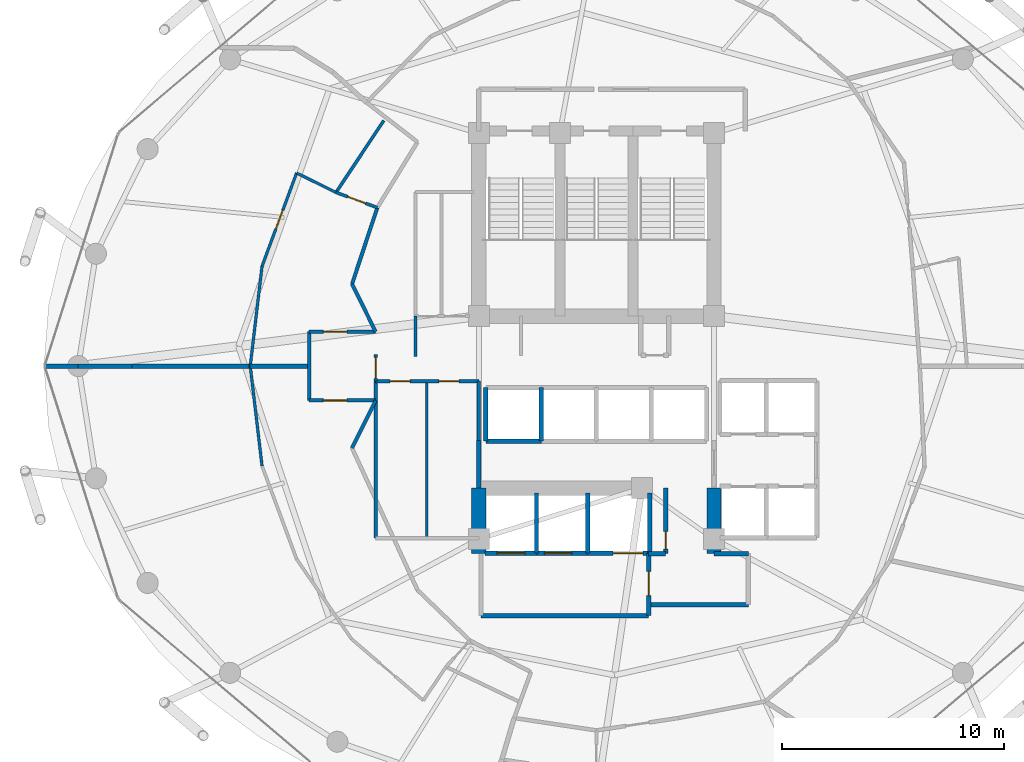
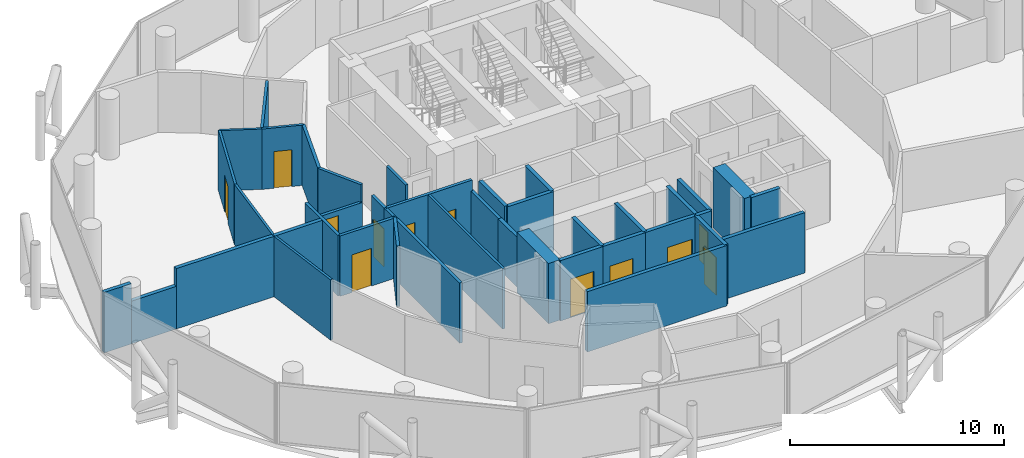
# One storey, part 22 of 26: 40 walls, 12 doors, 12 openings.
"""IFC4 building model written with IfcOpenShell, lengths in metres."""

from ifc_helpers import new_model, si_unit, direction, frame, frame_2d, origin, place, context, subcontext, project, spatial, rectangle, extrude, material, layer, layer_set, type_object, element, fill, save


model = new_model("IFC4")

# Units and contexts
model_context = context("Model", 3, precision=1e-05, world=origin(), true_north=direction((0.0, 1.0)))
body_context = subcontext(model_context, "Body", "Model", "MODEL_VIEW")
ifc_project = project(units=[si_unit("LENGTHUNIT", "METRE"), si_unit("AREAUNIT", "SQUARE_METRE"), si_unit("VOLUMEUNIT", "CUBIC_METRE"), si_unit("PLANEANGLEUNIT", "RADIAN"), si_unit("MASSUNIT", "GRAM", prefix="KILO")], contexts=[model_context])

# Site, building, storey
site_placement = place(None, origin())
site = spatial("IfcSite", under=ifc_project, at=site_placement, CompositionType="ELEMENT")
building_placement = place(site_placement, origin())
building = spatial("IfcBuilding", under=site, at=building_placement, Name="Nuhasar Tower", CompositionType="ELEMENT")
storey_placement = place(building_placement, frame((0.0, 0.0, 181.14990234375)))
storey = spatial("IfcBuildingStorey", under=building, at=storey_placement, Name="L44", CompositionType="ELEMENT", Elevation=181.14990234375)

# Walls
ifc_material_1 = material(Name="Concrete C65/80", Category="concrete")
ifc_layer_1 = layer(ifc_material_1, 0.64990234375)
ifc_layer_set_1 = layer_set([ifc_layer_1], Name="Concrete C65/80")
wall_type_1 = type_object("IfcWallType", Name="WL-CORE-650", PredefinedType="SHEAR", material=ifc_layer_set_1)
for number, where, z_axis, x_axis, name in (
    (1, (33.699951171875, 18.35009765625, 0.0), (0.0, 0.0, 1.0), (0.0, 1.0, 0.0), "L44 Core Shear Wall CW-SW CW-650"),
    (2, (44.300048828125, 18.35009765625, 0.0), (0.0, 0.0, 1.0), (0.0, 1.0, 0.0), "L44 Core Shear Wall CW-SE CW-650"),
):
    element("IfcWall", number, at=place(storey_placement, frame(where, z_axis=z_axis, x_axis=x_axis)), inside=storey, type_object=wall_type_1, Name=name, PredefinedType="SHEAR", context=body_context, shape_type="SweptSolid", body=[
        extrude(rectangle(XDim=2.949951171875, YDim=0.64990234375, at=frame_2d((1.47509765625, 0.0))), origin(), (0.0, 0.0, 1.0), 3.4501953125),
    ])
ifc_material_2 = material(Name="Gypsum Board", Category="gypsum")
ifc_layer_2 = layer(ifc_material_2, 0.159912109375)
ifc_layer_set_2 = layer_set([ifc_layer_2], Name="Gypsum Board")
wall_type_2 = type_object("IfcWallType", Name="WL-CORR-160", PredefinedType="PARTITIONING", material=ifc_layer_set_2)
wall_1_placement = place(storey_placement, frame((29.050048828125, 19.050048828125, 0.0), z_axis=(0.0, 0.0, 1.0), x_axis=(0.0, 1.0, 0.0)))
element("IfcWall", 3, at=wall_1_placement, inside=storey, type_object=wall_type_2, Name="L44 Interior Partition RECL-B1-W", PredefinedType="PARTITIONING", context=body_context, shape_type="SweptSolid", body=[
    extrude(rectangle(XDim=7.070068359375, YDim=0.159912109375, at=frame_2d((3.53515625, 0.0))), origin(), (0.0, 0.0, 1.0), 3.4501953125),
])
wall_2_placement = place(storey_placement, frame((33.699951171875, 23.449951171875, 0.0), z_axis=(0.0, 0.0, 1.0), x_axis=(0.0, 1.0, 0.0)))
element("IfcWall", 4, at=wall_2_placement, inside=storey, type_object=wall_type_2, Name="L44 Interior Partition RECL-B1-E", PredefinedType="PARTITIONING", context=body_context, shape_type="SweptSolid", body=[
    extrude(rectangle(XDim=2.670166015625, YDim=0.159912109375, at=frame_2d((1.3349609375, 0.0))), origin(), (0.0, 0.0, 1.0), 2.835205078125),
])

# Wall, openings, doors
wall_3_placement = place(storey_placement, frame((33.699951171875, 26.1201171875, 0.0), z_axis=(0.0, 0.0, 1.0), x_axis=(-1.0, 0.0, 0.0)))
wall_3 = element("IfcWall", 5, at=wall_3_placement, inside=storey, type_object=wall_type_2, Name="L44 Interior Partition RECL-B1-N", PredefinedType="PARTITIONING", context=body_context, shape_type="SweptSolid", body=[
    extrude(rectangle(XDim=4.64990234375, YDim=0.159912109375, at=frame_2d((2.324951171875, 0.0))), origin(), (0.0, 0.0, 1.0), 3.4501953125),
])
opening_1_placement = place(wall_3_placement, frame((3.10009765625, 0.0, 0.0)))
opening_1 = element("IfcOpeningElement", 6, at=opening_1_placement, cuts=wall_3, Name="Opening DR-01", PredefinedType="OPENING", context=body_context, shape_type="SweptSolid", body=[
    extrude(rectangle(XDim=0.89990234375, YDim=2.10009765625, at=frame_2d((0.449951171875, 1.050048828125))), frame((0.0, 0.08984375, 0.0), z_axis=(0.0, -1.0, 0.0), x_axis=(1.0, 0.0, 0.0)), (0.0, 0.0, 1.0), 0.179931640625),
])
opening_2_placement = place(wall_3_placement, frame((0.89990234375, 0.0, 0.0)))
opening_2 = element("IfcOpeningElement", 7, at=opening_2_placement, cuts=wall_3, Name="Opening DR-01", PredefinedType="OPENING", context=body_context, shape_type="SweptSolid", body=[
    extrude(rectangle(XDim=0.89990234375, YDim=2.10009765625, at=frame_2d((0.449951171875, 1.050048828125))), frame((0.0, 0.08984375, 0.0), z_axis=(0.0, -1.0, 0.0), x_axis=(1.0, 0.0, 0.0)), (0.0, 0.0, 1.0), 0.179931640625),
])
ifc_material_3 = material(Name="Timber Oak", Category="wood")
door_type_1 = type_object("IfcDoorType", Name="DR-ROOM-900", OperationType="NOTDEFINED", PredefinedType="DOOR", material=ifc_material_3)
door_1_placement = place(opening_1_placement, origin())
door_1 = element("IfcDoor", 8, at=door_1_placement, inside=storey, type_object=door_type_1, Name="L44 Housekeeping Door", OperationType="SINGLE_SWING_RIGHT", OverallHeight=2.10009765625, OverallWidth=0.89990234375, PredefinedType="DOOR", context=body_context, shape_type="SweptSolid", body=[
    extrude(rectangle(XDim=0.89990234375, YDim=2.10009765625, at=frame_2d((0.449951171875, 1.050048828125))), frame((0.0, 0.02490234375, 0.0), z_axis=(0.0, -1.0, 0.0), x_axis=(1.0, 0.0, 0.0)), (0.0, 0.0, 1.0), 0.050048828125),
])
fill(opening_1, door_1)
door_2_placement = place(opening_2_placement, origin())
door_2 = element("IfcDoor", 9, at=door_2_placement, inside=storey, type_object=door_type_1, Name="L44 Valet Pantry Door", OperationType="SINGLE_SWING_LEFT", OverallHeight=2.10009765625, OverallWidth=0.89990234375, PredefinedType="DOOR", context=body_context, shape_type="SweptSolid", body=[
    extrude(rectangle(XDim=0.89990234375, YDim=2.10009765625, at=frame_2d((0.449951171875, 1.050048828125))), frame((0.0, 0.02490234375, 0.0), z_axis=(0.0, -1.0, 0.0), x_axis=(1.0, 0.0, 0.0)), (0.0, 0.0, 1.0), 0.050048828125),
])
fill(opening_2, door_2)

# Wall, opening, door
wall_4_placement = place(storey_placement, frame((29.050048828125, 26.1201171875, 0.0), z_axis=(0.0, 0.0, 1.0), x_axis=(0.0, 1.0, 0.0)))
wall_4 = element("IfcWall", 10, at=wall_4_placement, inside=storey, type_object=wall_type_2, Name="L44 Interior Partition WVEST-E", PredefinedType="PARTITIONING", context=body_context, shape_type="SweptSolid", body=[
    extrude(rectangle(XDim=1.199951171875, YDim=0.159912109375, at=frame_2d((0.60009765625, 0.0))), origin(), (0.0, 0.0, 1.0), 3.4501953125),
])
opening_3_placement = place(wall_4_placement, frame((0.125, 0.0, 0.0)))
opening_3 = element("IfcOpeningElement", 11, at=opening_3_placement, cuts=wall_4, Name="Opening DO-01", PredefinedType="OPENING", context=body_context, shape_type="SweptSolid", body=[
    extrude(rectangle(XDim=0.949951171875, YDim=2.14990234375, at=frame_2d((0.47509765625, 1.074951171875))), frame((0.0, 0.08984375, 0.0), z_axis=(0.0, -1.0, 0.0), x_axis=(1.0, 0.0, 0.0)), (0.0, 0.0, 1.0), 0.179931640625),
])
door_type_2 = type_object("IfcDoorType", Name="DR-OFFICE-FD30-950", OperationType="NOTDEFINED", PredefinedType="DOOR", material=ifc_material_3)
door_3_placement = place(opening_3_placement, origin())
door_3 = element("IfcDoor", 12, at=door_3_placement, inside=storey, type_object=door_type_2, Name="L44 West Arrival Foyer Core Door", OperationType="SINGLE_SWING_LEFT", OverallHeight=2.14990234375, OverallWidth=0.949951171875, PredefinedType="DOOR", context=body_context, shape_type="SweptSolid", body=[
    extrude(rectangle(XDim=0.949951171875, YDim=2.14990234375, at=frame_2d((0.47509765625, 1.074951171875))), frame((0.0, 0.02490234375, 0.0), z_axis=(0.0, -1.0, 0.0), x_axis=(1.0, 0.0, 0.0)), (0.0, 0.0, 1.0), 0.050048828125),
])
fill(opening_3, door_3)

# Wall
wall_5_placement = place(storey_placement, frame((29.126953125, 33.93994140625, 0.0), z_axis=(0.0, 0.0, 1.0), x_axis=(-0.313985571683, -0.949427754374, 0.0)))
element("IfcWall", 13, at=wall_5_placement, inside=storey, type_object=wall_type_2, Name="L44 Interior Partition HWEST-CORE-N-20", PredefinedType="PARTITIONING", context=body_context, shape_type="SweptSolid", body=[
    extrude(rectangle(XDim=3.627197265625, YDim=0.159912109375, at=frame_2d((1.8134765625, 0.0))), origin(), (0.0, 0.0, 1.0), 3.4501953125),
])

# Wall, opening, door
wall_6_placement = place(storey_placement, frame((26.050048828125, 28.35009765625, 0.0), z_axis=(0.0, 0.0, 1.0), x_axis=(1.0, 0.0, 0.0)))
wall_6 = element("IfcWall", 14, at=wall_6_placement, inside=storey, type_object=wall_type_2, Name="L44 Interior Partition WVEST-N", PredefinedType="PARTITIONING", context=body_context, shape_type="SweptSolid", body=[
    extrude(rectangle(XDim=3.0, YDim=0.159912109375, at=frame_2d((1.5, 0.0))), origin(), (0.0, 0.0, 1.0), 2.440185546875),
])
opening_4_placement = place(wall_6_placement, frame((0.64990234375, 0.0, 0.0)))
opening_4 = element("IfcOpeningElement", 15, at=opening_4_placement, cuts=wall_6, Name="Opening DU-01", PredefinedType="OPENING", context=body_context, shape_type="SweptSolid", body=[
    extrude(rectangle(XDim=1.050048828125, YDim=2.14990234375, at=frame_2d((0.52490234375, 1.074951171875))), frame((0.0, 0.08984375, 0.0), z_axis=(0.0, -1.0, 0.0), x_axis=(1.0, 0.0, 0.0)), (0.0, 0.0, 1.0), 0.179931640625),
])
door_type_3 = type_object("IfcDoorType", Name="DR-SUITE-FD60-1050", OperationType="NOTDEFINED", PredefinedType="DOOR", material=ifc_material_3)
door_4_placement = place(opening_4_placement, origin())
door_4 = element("IfcDoor", 16, at=door_4_placement, inside=storey, type_object=door_type_3, Name="L44 North-West Sunset Suite Entrance", OperationType="SINGLE_SWING_LEFT", OverallHeight=2.14990234375, OverallWidth=1.050048828125, PredefinedType="DOOR", context=body_context, shape_type="SweptSolid", body=[
    extrude(rectangle(XDim=1.050048828125, YDim=2.14990234375, at=frame_2d((0.52490234375, 1.074951171875))), frame((0.0, 0.02490234375, 0.0), z_axis=(0.0, -1.0, 0.0), x_axis=(1.0, 0.0, 0.0)), (0.0, 0.0, 1.0), 0.050048828125),
])
fill(opening_4, door_4)

wall_7_placement = place(storey_placement, frame((26.050048828125, 25.25, 0.0), z_axis=(0.0, 0.0, 1.0), x_axis=(1.0, 0.0, 0.0)))
wall_7 = element("IfcWall", 17, at=wall_7_placement, inside=storey, type_object=wall_type_2, Name="L44 Interior Partition WVEST-S", PredefinedType="PARTITIONING", context=body_context, shape_type="SweptSolid", body=[
    extrude(rectangle(XDim=3.0, YDim=0.159912109375, at=frame_2d((1.5, 0.0))), origin(), (0.0, 0.0, 1.0), 3.4501953125),
])
opening_5_placement = place(wall_7_placement, frame((0.64990234375, 0.0, 0.0)))
opening_5 = element("IfcOpeningElement", 18, at=opening_5_placement, cuts=wall_7, Name="Opening DU-01", PredefinedType="OPENING", context=body_context, shape_type="SweptSolid", body=[
    extrude(rectangle(XDim=1.050048828125, YDim=2.14990234375, at=frame_2d((0.52490234375, 1.074951171875))), frame((0.0, 0.08984375, 0.0), z_axis=(0.0, -1.0, 0.0), x_axis=(1.0, 0.0, 0.0)), (0.0, 0.0, 1.0), 0.179931640625),
])
door_5_placement = place(opening_5_placement, origin())
door_5 = element("IfcDoor", 19, at=door_5_placement, inside=storey, type_object=door_type_3, Name="L44 South-West Presidential Suite Entrance", OperationType="SINGLE_SWING_LEFT", OverallHeight=2.14990234375, OverallWidth=1.050048828125, PredefinedType="DOOR", context=body_context, shape_type="SweptSolid", body=[
    extrude(rectangle(XDim=1.050048828125, YDim=2.14990234375, at=frame_2d((0.52490234375, 1.074951171875))), frame((0.0, 0.02490234375, 0.0), z_axis=(0.0, -1.0, 0.0), x_axis=(1.0, 0.0, 0.0)), (0.0, 0.0, 1.0), 0.050048828125),
])
fill(opening_5, door_5)

# Walls
wall_8_placement = place(storey_placement, frame((26.050048828125, 25.25, 0.0), z_axis=(0.0, 0.0, 1.0), x_axis=(0.0, 1.0, 0.0)))
element("IfcWall", 20, at=wall_8_placement, inside=storey, type_object=wall_type_2, Name="L44 Interior Partition WVEST-W", PredefinedType="PARTITIONING", context=body_context, shape_type="SweptSolid", body=[
    extrude(rectangle(XDim=3.10009765625, YDim=0.159912109375, at=frame_2d((1.550048828125, 0.0))), origin(), (0.0, 0.0, 1.0), 3.4501953125),
])
for number, where, z_axis, x_axis, name in (
    (21, (27.988037109375, 30.49609375, 0.0), (0.0, 0.0, 1.0), (0.443539160525, -0.896254993337, 0.0), "L44 Interior Partition WVEST-CN"),
    (22, (27.988037109375, 23.10400390625, 0.0), (0.0, 0.0, 1.0), (0.443539160525, 0.896254993337, 0.0), "L44 Interior Partition WVEST-CS"),
):
    element("IfcWall", number, at=place(storey_placement, frame(where, z_axis=z_axis, x_axis=x_axis)), inside=storey, type_object=wall_type_2, Name=name, PredefinedType="PARTITIONING", context=body_context, shape_type="SweptSolid", body=[
        extrude(rectangle(XDim=2.394287109375, YDim=0.159912109375, at=frame_2d((1.197265625, 0.0))), origin(), (0.0, 0.0, 1.0), 3.4501953125),
    ])
ifc_material_4 = material(Name="Concrete C45/55", Category="concrete")
ifc_layer_3 = layer(ifc_material_4, 0.199951171875)
ifc_layer_set_3 = layer_set([ifc_layer_3], Name="Concrete C45/55")
wall_type_3 = type_object("IfcWallType", Name="WL-LOBBY-200", PredefinedType="SOLIDWALL", material=ifc_layer_set_3)
wall_9_placement = place(storey_placement, frame((33.699951171875, 21.300048828125, 0.0), z_axis=(0.0, 0.0, 1.0), x_axis=(0.0, 1.0, 0.0)))
element("IfcWall", 23, at=wall_9_placement, inside=storey, type_object=wall_type_3, Name="L44 Interior Partition LLBH-W", PredefinedType="SOLIDWALL", context=body_context, shape_type="SweptSolid", body=[
    extrude(rectangle(XDim=2.14990234375, YDim=0.199951171875, at=frame_2d((1.074951171875, 0.0))), origin(), (0.0, 0.0, 1.0), 2.835205078125),
])
wall_10_placement = place(storey_placement, frame((33.800048828125, 15.550048828125, 0.0), z_axis=(0.0, 0.0, 1.0), x_axis=(1.0, 0.0, 0.0)))
element("IfcWall", 24, at=wall_10_placement, inside=storey, type_object=wall_type_3, Name="L44 Interior Partition FFL-S", PredefinedType="SOLIDWALL", context=body_context, shape_type="SweptSolid", body=[
    extrude(rectangle(XDim=7.550048828125, YDim=0.199951171875, at=frame_2d((3.77490234375, 0.0))), origin(), (0.0, 0.0, 1.0), 3.4501953125),
])

# Wall, opening, door
wall_11_placement = place(storey_placement, frame((41.35009765625, 15.550048828125, 0.0), z_axis=(0.0, 0.0, 1.0), x_axis=(0.0, 1.0, 0.0)))
wall_11 = element("IfcWall", 25, at=wall_11_placement, inside=storey, type_object=wall_type_3, Name="L44 Interior Partition FFL-E", PredefinedType="SOLIDWALL", context=body_context, shape_type="SweptSolid", body=[
    extrude(rectangle(XDim=2.800048828125, YDim=0.199951171875, at=frame_2d((1.39990234375, 0.0))), origin(), (0.0, 0.0, 1.0), 3.4501953125),
])
opening_6_placement = place(wall_11_placement, frame((0.89990234375, 0.0, 0.0)))
opening_6 = element("IfcOpeningElement", 26, at=opening_6_placement, cuts=wall_11, Name="Opening DS-02", PredefinedType="OPENING", context=body_context, shape_type="SweptSolid", body=[
    extrude(rectangle(XDim=1.10009765625, YDim=2.14990234375, at=frame_2d((0.550048828125, 1.074951171875))), frame((0.0, 0.10986328125, 0.0), z_axis=(0.0, -1.0, 0.0), x_axis=(1.0, 0.0, 0.0)), (0.0, 0.0, 1.0), 0.219970703125),
])
ifc_material_5 = material(Name="Steel S355", Category="steel")
door_type_4 = type_object("IfcDoorType", Name="DR-FFL-FD120-1100", OperationType="NOTDEFINED", PredefinedType="DOOR", material=ifc_material_5)
door_6_placement = place(opening_6_placement, origin())
door_6 = element("IfcDoor", 27, at=door_6_placement, inside=storey, type_object=door_type_4, Name="L44 Firefighting Lobby Door", OperationType="SINGLE_SWING_RIGHT", OverallHeight=2.14990234375, OverallWidth=1.10009765625, PredefinedType="DOOR", context=body_context, shape_type="SweptSolid", body=[
    extrude(rectangle(XDim=1.10009765625, YDim=2.14990234375, at=frame_2d((0.550048828125, 1.074951171875))), frame((0.0, 0.02490234375, 0.0), z_axis=(0.0, -1.0, 0.0), x_axis=(1.0, 0.0, 0.0)), (0.0, 0.0, 1.0), 0.050048828125),
])
fill(opening_6, door_6)

# Walls
wall_12_placement = place(storey_placement, frame((41.35009765625, 16.050048828125, 0.0), z_axis=(0.0, 0.0, 1.0), x_axis=(1.0, 0.0, 0.0)))
element("IfcWall", 28, at=wall_12_placement, inside=storey, type_object=wall_type_3, Name="L44 Interior Partition SVLV-S", PredefinedType="SOLIDWALL", context=body_context, shape_type="SweptSolid", body=[
    extrude(rectangle(XDim=4.5, YDim=0.199951171875, at=frame_2d((2.25, 0.0))), origin(), (0.0, 0.0, 1.0), 3.4501953125),
])
wall_13_placement = place(storey_placement, frame((44.300048828125, 18.35009765625, 0.0), z_axis=(0.0, 0.0, 1.0), x_axis=(1.0, 0.0, 0.0)))
element("IfcWall", 29, at=wall_13_placement, inside=storey, type_object=wall_type_3, Name="L44 Interior Partition SVLV-N", PredefinedType="SOLIDWALL", context=body_context, shape_type="SweptSolid", body=[
    extrude(rectangle(XDim=1.550048828125, YDim=0.199951171875, at=frame_2d((0.77490234375, 0.0))), origin(), (0.0, 0.0, 1.0), 3.4501953125),
])
ifc_layer_4 = layer(ifc_material_2, 0.125)
ifc_layer_set_4 = layer_set([ifc_layer_4], Name="Gypsum Board")
wall_type_4 = type_object("IfcWallType", Name="WL-PART-125", PredefinedType="PARTITIONING", material=ifc_layer_set_4)
wall_14_placement = place(storey_placement, frame((31.35009765625, 19.050048828125, 0.0), z_axis=(0.0, 0.0, 1.0), x_axis=(0.0, 1.0, 0.0)))
element("IfcWall", 30, at=wall_14_placement, inside=storey, type_object=wall_type_4, Name="L44 Interior Partition RECL-B1-V", PredefinedType="PARTITIONING", context=body_context, shape_type="SweptSolid", body=[
    extrude(rectangle(XDim=7.070068359375, YDim=0.125, at=frame_2d((3.53515625, 0.0))), origin(), (0.0, 0.0, 1.0), 3.4501953125),
])
wall_15_placement = place(storey_placement, frame((27.264892578125, 34.625, 0.0), z_axis=(0.0, 0.0, 1.0), x_axis=(-0.896929858707, 0.442172849189, 0.0)))
element("IfcWall", 31, at=wall_15_placement, inside=storey, type_object=wall_type_4, Name="L44 Interior Partition HWS1-S", PredefinedType="PARTITIONING", context=body_context, shape_type="SweptSolid", body=[
    extrude(rectangle(XDim=1.978759765625, YDim=0.125, at=frame_2d((0.9892578125, 0.0))), origin(), (0.0, 0.0, 1.0), 3.4501953125),
])

# Wall, opening, door
wall_16_placement = place(storey_placement, frame((25.489990234375, 35.5, 0.0), z_axis=(0.0, 0.0, 1.0), x_axis=(-0.348031805078, -0.93748272659, 0.0)))
wall_16 = element("IfcWall", 32, at=wall_16_placement, inside=storey, type_object=wall_type_4, Name="L44 Interior Partition HWS1-ARC-20", PredefinedType="PARTITIONING", context=body_context, shape_type="SweptSolid", body=[
    extrude(rectangle(XDim=4.476806640625, YDim=0.125, at=frame_2d((2.23828125, 0.0))), origin(), (0.0, 0.0, 1.0), 3.4501953125),
])
opening_7_placement = place(wall_16_placement, frame((1.7880859375, 0.0, 0.0)))
opening_7 = element("IfcOpeningElement", 33, at=opening_7_placement, cuts=wall_16, Name="Opening DR-01", PredefinedType="OPENING", context=body_context, shape_type="SweptSolid", body=[
    extrude(rectangle(XDim=0.89990234375, YDim=2.10009765625, at=frame_2d((0.449951171875, 1.050048828125))), frame((0.0, 0.072509765625, 0.0), z_axis=(0.0, -1.0, 0.0), x_axis=(1.0, 0.0, 0.0)), (0.0, 0.0, 1.0), 0.14501953125),
])
door_7_placement = place(opening_7_placement, origin())
door_7 = element("IfcDoor", 34, at=door_7_placement, inside=storey, type_object=door_type_1, Name="L44 North-West Sunset Suite Bedroom Door", OperationType="SINGLE_SWING_LEFT", OverallHeight=2.10009765625, OverallWidth=0.89990234375, PredefinedType="DOOR", context=body_context, shape_type="SweptSolid", body=[
    extrude(rectangle(XDim=0.89990234375, YDim=2.10009765625, at=frame_2d((0.449951171875, 1.050048828125))), frame((0.0, 0.02490234375, 0.0), z_axis=(0.0, -1.0, 0.0), x_axis=(1.0, 0.0, 0.0)), (0.0, 0.0, 1.0), 0.050048828125),
])
fill(opening_7, door_7)

# Walls
for number, where, z_axis, x_axis, name in (
    (35, (23.931884765625, 31.302978515625, 0.0), (0.0, 0.0, 1.0), (-0.1173254596, -0.993093518522, 0.0), "L44 Interior Partition HWS1-ARC-22"),
    (36, (23.39990234375, 26.800048828125, 0.0), (0.0, 0.0, 1.0), (0.1173254596, -0.993093518522, 0.0), "L44 Interior Partition HWS2-ARC-24"),
):
    element("IfcWall", number, at=place(storey_placement, frame(where, z_axis=z_axis, x_axis=x_axis)), inside=storey, type_object=wall_type_4, Name=name, PredefinedType="PARTITIONING", context=body_context, shape_type="SweptSolid", body=[
        extrude(rectangle(XDim=4.5341796875, YDim=0.125, at=frame_2d((2.26708984375, 0.0))), origin(), (0.0, 0.0, 1.0), 3.4501953125),
    ])
ifc_layer_5 = layer(ifc_material_4, 0.199951171875)
ifc_layer_set_5 = layer_set([ifc_layer_5], Name="Concrete C45/55")
wall_type_5 = type_object("IfcWallType", Name="WL-SHAFT-200", PredefinedType="SOLIDWALL", material=ifc_layer_set_5)
wall_17_placement = place(storey_placement, frame((34.02001953125, 23.419921875, 0.0), z_axis=(0.0, 0.0, 1.0), x_axis=(1.0, 0.0, 0.0)))
element("IfcWall", 37, at=wall_17_placement, inside=storey, type_object=wall_type_5, Name="L44 Interior Partition SHF-PL-H01-S", PredefinedType="SOLIDWALL", context=body_context, shape_type="SweptSolid", body=[
    extrude(rectangle(XDim=2.5, YDim=0.199951171875, at=frame_2d((1.25, 0.0))), origin(), (0.0, 0.0, 1.0), 3.4501953125),
])
for number, where, z_axis, x_axis, name in (
    (38, (34.02001953125, 23.419921875, 0.0), (0.0, 0.0, 1.0), (0.0, 1.0, 0.0), "L44 Interior Partition SHF-PL-H01-W"),
    (39, (36.510009765625, 23.419921875, 0.0), (0.0, 0.0, 1.0), (0.0, 1.0, 0.0), "L44 Interior Partition SHF-PL-H01-E"),
):
    element("IfcWall", number, at=place(storey_placement, frame(where, z_axis=z_axis, x_axis=x_axis)), inside=storey, type_object=wall_type_5, Name=name, PredefinedType="SOLIDWALL", context=body_context, shape_type="SweptSolid", body=[
        extrude(rectangle(XDim=2.41015625, YDim=0.199951171875, at=frame_2d((1.205078125, 0.0))), origin(), (0.0, 0.0, 1.0), 3.4501953125),
    ])

# Wall, opening, door
wall_18_placement = place(storey_placement, frame((33.969970703125, 18.3701171875, 0.0), z_axis=(0.0, 0.0, 1.0), x_axis=(1.0, 0.0, 0.0)))
wall_18 = element("IfcWall", 40, at=wall_18_placement, inside=storey, type_object=wall_type_5, Name="L44 Interior Partition SHF-FFL-01-S", PredefinedType="SOLIDWALL", context=body_context, shape_type="SweptSolid", body=[
    extrude(rectangle(XDim=2.360107421875, YDim=0.199951171875, at=frame_2d((1.18017578125, 0.0))), origin(), (0.0, 0.0, 1.0), 3.4501953125),
])
opening_8_placement = place(wall_18_placement, frame((0.554931640625, 0.0, 0.0)))
opening_8 = element("IfcOpeningElement", 41, at=opening_8_placement, cuts=wall_18, Name="Opening LD-F01", PredefinedType="OPENING", context=body_context, shape_type="SweptSolid", body=[
    extrude(rectangle(XDim=1.25, YDim=2.199951171875, at=frame_2d((0.625, 1.10009765625))), frame((0.0, 0.10986328125, 0.0), z_axis=(0.0, -1.0, 0.0), x_axis=(1.0, 0.0, 0.0)), (0.0, 0.0, 1.0), 0.219970703125),
])
ifc_material_6 = material(Name="Stainless Steel 316L", Category="steel")
door_type_5 = type_object("IfcDoorType", Name="LD-FFL-1250", OperationType="DOUBLE_DOOR_SLIDING", PredefinedType="DOOR", material=ifc_material_6)
door_8_placement = place(opening_8_placement, origin())
door_8 = element("IfcDoor", 42, at=door_8_placement, inside=storey, type_object=door_type_5, Name="L44 Lift Landing Door FFL-01", OperationType="DOUBLE_DOOR_SLIDING", OverallHeight=2.199951171875, OverallWidth=1.25, PredefinedType="DOOR", context=body_context, shape_type="SweptSolid", body=[
    extrude(rectangle(XDim=1.25, YDim=2.199951171875, at=frame_2d((0.625, 1.10009765625))), frame((0.0, 0.02490234375, 0.0), z_axis=(0.0, -1.0, 0.0), x_axis=(1.0, 0.0, 0.0)), (0.0, 0.0, 1.0), 0.050048828125),
])
fill(opening_8, door_8)

# Wall
wall_19_placement = place(storey_placement, frame((36.300048828125, 18.3701171875, 0.0), z_axis=(0.0, 0.0, 1.0), x_axis=(0.0, 1.0, 0.0)))
element("IfcWall", 43, at=wall_19_placement, inside=storey, type_object=wall_type_5, Name="L44 Interior Partition SHF-FFL-01-E", PredefinedType="SOLIDWALL", context=body_context, shape_type="SweptSolid", body=[
    extrude(rectangle(XDim=2.7099609375, YDim=0.199951171875, at=frame_2d((1.35498046875, 0.0))), origin(), (0.0, 0.0, 1.0), 3.4501953125),
])

# Wall, opening, door
wall_20_placement = place(storey_placement, frame((36.27001953125, 18.3701171875, 0.0), z_axis=(0.0, 0.0, 1.0), x_axis=(1.0, 0.0, 0.0)))
wall_20 = element("IfcWall", 44, at=wall_20_placement, inside=storey, type_object=wall_type_5, Name="L44 Interior Partition SHF-FFL-02-S", PredefinedType="SOLIDWALL", context=body_context, shape_type="SweptSolid", body=[
    extrude(rectangle(XDim=2.35986328125, YDim=0.199951171875, at=frame_2d((1.179931640625, 0.0))), origin(), (0.0, 0.0, 1.0), 3.4501953125),
])
opening_9_placement = place(wall_20_placement, frame((0.3798828125, 0.0, 0.0)))
opening_9 = element("IfcOpeningElement", 45, at=opening_9_placement, cuts=wall_20, Name="Opening LD-F02", PredefinedType="OPENING", context=body_context, shape_type="SweptSolid", body=[
    extrude(rectangle(XDim=1.25, YDim=2.199951171875, at=frame_2d((0.625, 1.10009765625))), frame((0.0, 0.10986328125, 0.0), z_axis=(0.0, -1.0, 0.0), x_axis=(1.0, 0.0, 0.0)), (0.0, 0.0, 1.0), 0.219970703125),
])
door_9_placement = place(opening_9_placement, origin())
door_9 = element("IfcDoor", 46, at=door_9_placement, inside=storey, type_object=door_type_5, Name="L44 Lift Landing Door FFL-02", OperationType="DOUBLE_DOOR_SLIDING", OverallHeight=2.199951171875, OverallWidth=1.25, PredefinedType="DOOR", context=body_context, shape_type="SweptSolid", body=[
    extrude(rectangle(XDim=1.25, YDim=2.199951171875, at=frame_2d((0.625, 1.10009765625))), frame((0.0, 0.02490234375, 0.0), z_axis=(0.0, -1.0, 0.0), x_axis=(1.0, 0.0, 0.0)), (0.0, 0.0, 1.0), 0.050048828125),
])
fill(opening_9, door_9)

# Wall
wall_21_placement = place(storey_placement, frame((38.60009765625, 18.3701171875, 0.0), z_axis=(0.0, 0.0, 1.0), x_axis=(0.0, 1.0, 0.0)))
element("IfcWall", 47, at=wall_21_placement, inside=storey, type_object=wall_type_5, Name="L44 Interior Partition SHF-FFL-02-E", PredefinedType="SOLIDWALL", context=body_context, shape_type="SweptSolid", body=[
    extrude(rectangle(XDim=2.7099609375, YDim=0.199951171875, at=frame_2d((1.35498046875, 0.0))), origin(), (0.0, 0.0, 1.0), 3.4501953125),
])

# Wall, opening, door
wall_22_placement = place(storey_placement, frame((38.570068359375, 18.3701171875, 0.0), z_axis=(0.0, 0.0, 1.0), x_axis=(1.0, 0.0, 0.0)))
wall_22 = element("IfcWall", 48, at=wall_22_placement, inside=storey, type_object=wall_type_5, Name="L44 Interior Partition SHF-SVL-01-S", PredefinedType="SOLIDWALL", context=body_context, shape_type="SweptSolid", body=[
    extrude(rectangle(XDim=2.829833984375, YDim=0.199951171875, at=frame_2d((1.4150390625, 0.0))), origin(), (0.0, 0.0, 1.0), 3.4501953125),
])
opening_10_placement = place(wall_22_placement, frame((1.179931640625, 0.0, 0.0)))
opening_10 = element("IfcOpeningElement", 49, at=opening_10_placement, cuts=wall_22, Name="Opening LD-S01", PredefinedType="OPENING", context=body_context, shape_type="SweptSolid", body=[
    extrude(rectangle(XDim=1.35009765625, YDim=2.179931640625, at=frame_2d((0.675048828125, 1.08984375))), frame((0.0, 0.10986328125, 0.0), z_axis=(0.0, -1.0, 0.0), x_axis=(1.0, 0.0, 0.0)), (0.0, 0.0, 1.0), 0.219970703125),
])
door_type_6 = type_object("IfcDoorType", Name="LD-SVL-1350", OperationType="DOUBLE_DOOR_SLIDING", PredefinedType="DOOR", material=ifc_material_6)
door_10_placement = place(opening_10_placement, origin())
door_10 = element("IfcDoor", 50, at=door_10_placement, inside=storey, type_object=door_type_6, Name="L44 Lift Landing Door SVL-01", OperationType="DOUBLE_DOOR_SLIDING", OverallHeight=2.179931640625, OverallWidth=1.35009765625, PredefinedType="DOOR", context=body_context, shape_type="SweptSolid", body=[
    extrude(rectangle(XDim=1.35009765625, YDim=2.179931640625, at=frame_2d((0.675048828125, 1.08984375))), frame((0.0, 0.02490234375, 0.0), z_axis=(0.0, -1.0, 0.0), x_axis=(1.0, 0.0, 0.0)), (0.0, 0.0, 1.0), 0.050048828125),
])
fill(opening_10, door_10)

# Wall
wall_23_placement = place(storey_placement, frame((41.39990234375, 18.3701171875, 0.0), z_axis=(0.0, 0.0, 1.0), x_axis=(0.0, 1.0, 0.0)))
element("IfcWall", 51, at=wall_23_placement, inside=storey, type_object=wall_type_5, Name="L44 Interior Partition SHF-SVL-01-E", PredefinedType="SOLIDWALL", context=body_context, shape_type="SweptSolid", body=[
    extrude(rectangle(XDim=2.7099609375, YDim=0.199951171875, at=frame_2d((1.35498046875, 0.0))), origin(), (0.0, 0.0, 1.0), 3.4501953125),
])

# Wall, opening, door
wall_24_placement = place(storey_placement, frame((42.1201171875, 18.35009765625, 0.0), z_axis=(0.0, 0.0, 1.0), x_axis=(0.0, 1.0, 0.0)))
wall_24 = element("IfcWall", 52, at=wall_24_placement, inside=storey, type_object=wall_type_5, Name="L44 Interior Partition RSR-E", PredefinedType="SOLIDWALL", context=body_context, shape_type="SweptSolid", body=[
    extrude(rectangle(XDim=2.949951171875, YDim=0.199951171875, at=frame_2d((1.47509765625, 0.0))), origin(), (0.0, 0.0, 1.0), 3.4501953125),
])
opening_11_placement = place(wall_24_placement, frame((0.199951171875, 0.0, 0.0)))
opening_11 = element("IfcOpeningElement", 53, at=opening_11_placement, cuts=wall_24, Name="Opening DM-01", PredefinedType="OPENING", context=body_context, shape_type="SweptSolid", body=[
    extrude(rectangle(XDim=0.800048828125, YDim=2.050048828125, at=frame_2d((0.39990234375, 1.02490234375))), frame((0.0, 0.10986328125, 0.0), z_axis=(0.0, -1.0, 0.0), x_axis=(1.0, 0.0, 0.0)), (0.0, 0.0, 1.0), 0.219970703125),
])
door_type_7 = type_object("IfcDoorType", Name="DR-RISER-FD60-800", OperationType="NOTDEFINED", PredefinedType="DOOR", material=ifc_material_5)
door_11_placement = place(opening_11_placement, origin())
door_11 = element("IfcDoor", 54, at=door_11_placement, inside=storey, type_object=door_type_7, Name="L44 MEP Riser Access Door", OperationType="SINGLE_SWING_LEFT", OverallHeight=2.050048828125, OverallWidth=0.800048828125, PredefinedType="DOOR", context=body_context, shape_type="SweptSolid", body=[
    extrude(rectangle(XDim=0.800048828125, YDim=2.050048828125, at=frame_2d((0.39990234375, 1.02490234375))), frame((0.0, 0.02490234375, 0.0), z_axis=(0.0, -1.0, 0.0), x_axis=(1.0, 0.0, 0.0)), (0.0, 0.0, 1.0), 0.050048828125),
])
fill(opening_11, door_11)

# Walls
wall_25_placement = place(storey_placement, frame((41.35009765625, 18.35009765625, 0.0), z_axis=(0.0, 0.0, 1.0), x_axis=(1.0, 0.0, 0.0)))
element("IfcWall", 55, at=wall_25_placement, inside=storey, type_object=wall_type_5, Name="L44 Interior Partition RSR-S", PredefinedType="SOLIDWALL", context=body_context, shape_type="SweptSolid", body=[
    extrude(rectangle(XDim=0.77001953125, YDim=0.199951171875, at=frame_2d((0.385009765625, 0.0))), origin(), (0.0, 0.0, 1.0), 3.4501953125),
])
ifc_material_7 = material(Name="Concrete C40/50 precast", Category="concrete")
ifc_layer_6 = layer(ifc_material_7, 0.199951171875)
ifc_layer_set_6 = layer_set([ifc_layer_6], Name="Concrete C40/50 precast")
wall_type_6 = type_object("IfcWallType", Name="WL-UNIT-200", PredefinedType="PARTITIONING", material=ifc_layer_set_6)
wall_26_placement = place(storey_placement, frame((26.050048828125, 26.800048828125, 0.0), z_axis=(0.0, 0.0, 1.0), x_axis=(-1.0, 0.0, 0.0)))
element("IfcWall", 56, at=wall_26_placement, inside=storey, type_object=wall_type_6, Name="L44 Interior Partition HWEST-DIV-IN", PredefinedType="PARTITIONING", context=body_context, shape_type="SweptSolid", body=[
    extrude(rectangle(XDim=2.650146484375, YDim=0.199951171875, at=frame_2d((1.3251953125, 0.0))), origin(), (0.0, 0.0, 1.0), 3.4501953125),
])
wall_27_placement = place(storey_placement, frame((23.39990234375, 26.800048828125, 0.0), z_axis=(0.0, 0.0, 1.0), x_axis=(-1.0, 0.0, 0.0)))
element("IfcWall", 57, at=wall_27_placement, inside=storey, type_object=wall_type_6, Name="L44 Interior Partition HWEST-DIV-OUT", PredefinedType="PARTITIONING", context=body_context, shape_type="SweptSolid", body=[
    extrude(rectangle(XDim=5.326904296875, YDim=0.199951171875, at=frame_2d((2.66357421875, 0.0))), origin(), (0.0, 0.0, 1.0), 3.4501953125),
])
wall_28_placement = place(storey_placement, frame((18.072998046875, 26.800048828125, 0.0), z_axis=(0.0, 0.0, 1.0), x_axis=(-1.0, 0.0, 0.0)))
element("IfcWall", 58, at=wall_28_placement, inside=storey, type_object=wall_type_6, Name="L44 Interior Partition HWEST-DIV-OUT", PredefinedType="PARTITIONING", context=body_context, shape_type="SweptSolid", body=[
    extrude(rectangle(XDim=2.43505859375, YDim=0.199951171875, at=frame_2d((1.217529296875, 0.0))), origin(), (0.0, 0.0, 1.0), 2.440185546875),
])
wall_29_placement = place(storey_placement, frame((15.637939453125, 26.800048828125, 0.0), z_axis=(0.0, 0.0, 1.0), x_axis=(-1.0, 0.0, 0.0)))
element("IfcWall", 59, at=wall_29_placement, inside=storey, type_object=wall_type_6, Name="L44 Interior Partition HWEST-DIV-OUT", PredefinedType="PARTITIONING", context=body_context, shape_type="SweptSolid", body=[
    extrude(rectangle(XDim=1.462890625, YDim=0.199951171875, at=frame_2d((0.7314453125, 0.0))), origin(), (0.0, 0.0, 1.0), 3.4501953125),
])
ifc_layer_7 = layer(ifc_material_7, 0.139892578125)
ifc_layer_set_7 = layer_set([ifc_layer_7], Name="Concrete C40/50 precast")
wall_type_7 = type_object("IfcWallType", Name="WL-WET-140", PredefinedType="PARTITIONING", material=ifc_layer_set_7)
wall_30_placement = place(storey_placement, frame((30.85009765625, 27.239990234375, 0.0), z_axis=(0.0, 0.0, 1.0), x_axis=(0.0, 1.0, 0.0)))
element("IfcWall", 60, at=wall_30_placement, inside=storey, type_object=wall_type_7, Name="L44 Interior Partition K2-FOY-W", PredefinedType="PARTITIONING", context=body_context, shape_type="SweptSolid", body=[
    extrude(rectangle(XDim=1.81005859375, YDim=0.139892578125, at=frame_2d((0.905029296875, 0.0))), origin(), (0.0, 0.0, 1.0), 3.4501953125),
])

# Wall, opening, door
wall_31_placement = place(storey_placement, frame((27.264892578125, 34.625, 0.0), z_axis=(0.0, 0.0, 1.0), x_axis=(0.938500583084, -0.345277649945, 0.0)))
wall_31 = element("IfcWall", 61, at=wall_31_placement, inside=storey, type_object=wall_type_7, Name="L44 Interior Partition HBW1-S", PredefinedType="PARTITIONING", context=body_context, shape_type="SweptSolid", body=[
    extrude(rectangle(XDim=1.984130859375, YDim=0.139892578125, at=frame_2d((0.9921875, 0.0))), origin(), (0.0, 0.0, 1.0), 3.4501953125),
])
opening_12_placement = place(wall_31_placement, frame((0.56689453125, 0.0, 0.0)))
opening_12 = element("IfcOpeningElement", 62, at=opening_12_placement, cuts=wall_31, Name="Opening DB-01", PredefinedType="OPENING", context=body_context, shape_type="SweptSolid", body=[
    extrude(rectangle(XDim=0.85009765625, YDim=2.10009765625, at=frame_2d((0.425048828125, 1.050048828125))), frame((0.0, 0.080078125, 0.0), z_axis=(0.0, -1.0, 0.0), x_axis=(1.0, 0.0, 0.0)), (0.0, 0.0, 1.0), 0.159912109375),
])
door_type_8 = type_object("IfcDoorType", Name="DR-BATH-850", OperationType="NOTDEFINED", PredefinedType="DOOR", material=ifc_material_3)
door_12_placement = place(opening_12_placement, origin())
door_12 = element("IfcDoor", 63, at=door_12_placement, inside=storey, type_object=door_type_8, Name="L44 North-West Sunset Suite En-Suite Door", OperationType="SINGLE_SWING_RIGHT", OverallHeight=2.10009765625, OverallWidth=0.85009765625, PredefinedType="DOOR", context=body_context, shape_type="SweptSolid", body=[
    extrude(rectangle(XDim=0.85009765625, YDim=2.10009765625, at=frame_2d((0.425048828125, 1.050048828125))), frame((0.0, 0.02490234375, 0.0), z_axis=(0.0, -1.0, 0.0), x_axis=(1.0, 0.0, 0.0)), (0.0, 0.0, 1.0), 0.050048828125),
])
fill(opening_12, door_12)

# Wall
wall_32_placement = place(storey_placement, frame((29.4189453125, 37.865966796875, 0.0), z_axis=(0.0, 0.0, 1.0), x_axis=(-0.553526949376, -0.832831265212, 0.0)))
element("IfcWall", 64, at=wall_32_placement, inside=storey, type_object=wall_type_7, Name="L44 Interior Partition HBW1-E", PredefinedType="PARTITIONING", context=body_context, shape_type="SweptSolid", body=[
    extrude(rectangle(XDim=3.8916015625, YDim=0.139892578125, at=frame_2d((1.94580078125, 0.0))), origin(), (0.0, 0.0, 1.0), 3.4501953125),
])

save(model, "model.ifc")
